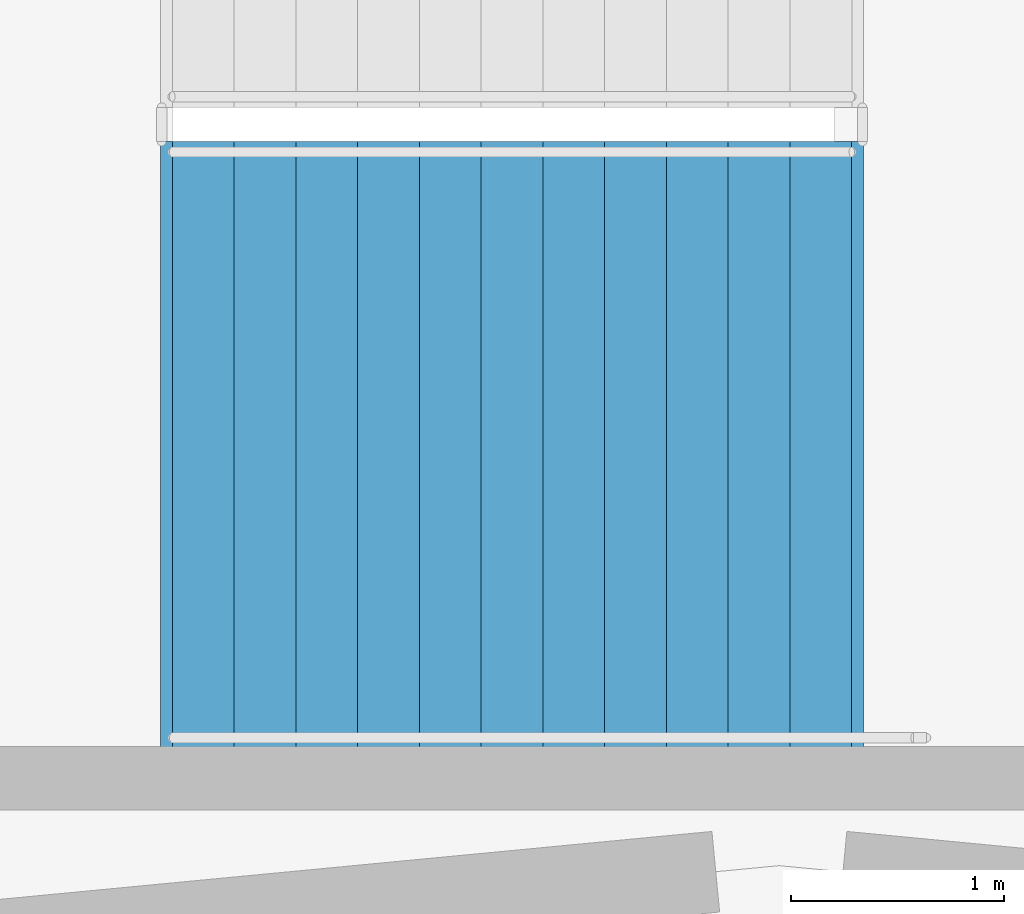
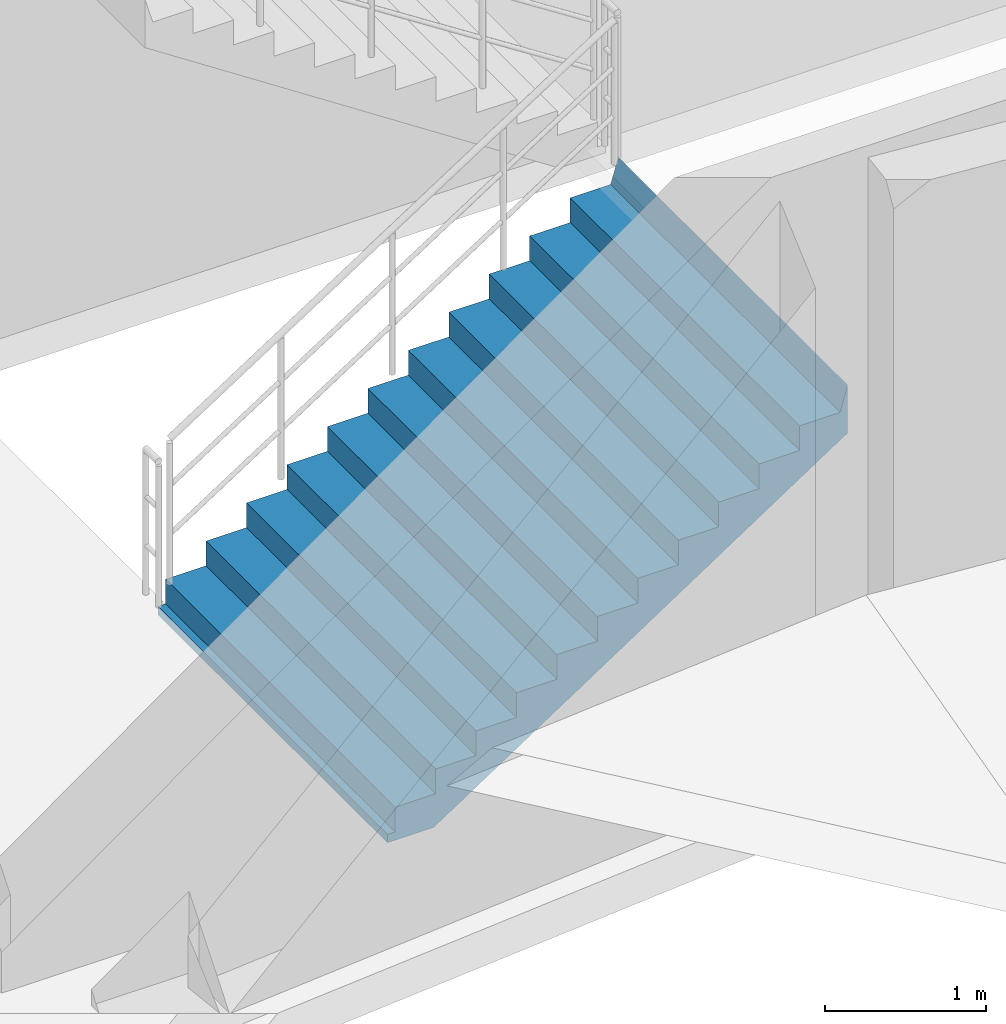
# One storey, part 96 of 112: 1 stair flight, 1 element without a shape of its own.
"""IFC4 building model written with IfcOpenShell, lengths in metres."""

import ifcopenshell
import ifcopenshell.guid

model = None  # the IFC model being written
_history = None  # IfcOwnerHistory: only IFC2X3 demands one
_inside = {}  # id of a spatial element -> (the spatial element, [elements in it])
_under = {}  # id of a project, library or spatial element -> (it, [spatial elements below it])
_declared = {}  # id of a project -> (the project, [libraries it declares])
_typed = {}  # id of a type object -> (the type object, [elements of that type])
_made_of = {}  # id of a material, layer set ... -> (it, [elements and type objects made of it])


def new_model(schema):
    """Start an empty IFC model of exactly this schema.

    Asked for "IFC4X3", IfcOpenShell would pick the latest addendum, in which some entities
    have other attributes; the version numbers below select the first issue.
    IFC2X3 requires an IfcOwnerHistory on every rooted entity: one is made here for all.
    """
    global model, _history
    if schema == "IFC4X3":
        model = ifcopenshell.file(schema_version=(4, 3, 0, 0))
    else:
        model = ifcopenshell.file(schema=schema)
    _inside.clear()
    _under.clear()
    _declared.clear()
    _typed.clear()
    _made_of.clear()
    _history = None
    if model.schema == "IFC2X3":
        org = make("IfcOrganization", Name="unknown")
        user = make(
            "IfcPersonAndOrganization",
            ThePerson=make("IfcPerson", FamilyName="unknown"),
            TheOrganization=org,
        )
        app = make(
            "IfcApplication",
            ApplicationDeveloper=org,
            Version="unknown",
            ApplicationFullName="unknown",
            ApplicationIdentifier="unknown",
        )
        _history = make(
            "IfcOwnerHistory",
            OwningUser=user,
            OwningApplication=app,
            ChangeAction="ADDED",
            CreationDate=0,
        )
    return model


def make(cls, **values):
    """One entity of the class cls with the attributes given. An attribute that is None is left unset."""
    return model.create_entity(
        cls, **{name: value for name, value in values.items() if value is not None}
    )


def rooted(cls, **values):
    """An entity with a GlobalId (a new one), such as an element, a storey or a relation."""
    return make(cls, GlobalId=ifcopenshell.guid.new(), OwnerHistory=_history, **values)


def si_unit(unit_type, name, prefix=None):
    """IfcSIUnit, for example si_unit("LENGTHUNIT", "METRE", prefix="MILLI")."""
    return make("IfcSIUnit", UnitType=unit_type, Prefix=prefix, Name=name)


def assignment(units):
    """IfcUnitAssignment: the units of a project."""
    return None if units is None else make("IfcUnitAssignment", Units=units)


def point(xyz):
    """IfcCartesianPoint."""
    return None if xyz is None else make("IfcCartesianPoint", Coordinates=xyz)


def direction(xyz):
    """IfcDirection."""
    return None if xyz is None else make("IfcDirection", DirectionRatios=xyz)


def frame(location, z_axis=None, x_axis=None):
    """IfcAxis2Placement3D, a coordinate frame: its origin and axes. An axis left out is left unset."""
    return make(
        "IfcAxis2Placement3D",
        Location=point(location),
        Axis=direction(z_axis),
        RefDirection=direction(x_axis),
    )


def origin():
    """The frame at (0, 0, 0) with its axes left unset."""
    return frame((0.0, 0.0, 0.0))


def place(relative_to, where):
    """IfcLocalPlacement: puts the frame where relative to a parent placement (None: the world)."""
    return make(
        "IfcLocalPlacement", PlacementRelTo=relative_to, RelativePlacement=where
    )


def context(
    kind, dimensions, precision=None, world=None, true_north=None, identifier=None
):
    """IfcGeometricRepresentationContext, for example the 3D "Model" context."""
    return make(
        "IfcGeometricRepresentationContext",
        ContextIdentifier=identifier,
        ContextType=kind,
        CoordinateSpaceDimension=dimensions,
        Precision=precision,
        WorldCoordinateSystem=world,
        TrueNorth=true_north,
    )


def subcontext(parent, identifier, kind, view, scale=None):
    """IfcGeometricRepresentationSubContext, for example "Body" below "Model"."""
    return make(
        "IfcGeometricRepresentationSubContext",
        ContextIdentifier=identifier,
        ContextType=kind,
        ParentContext=parent,
        TargetScale=scale,
        TargetView=view,
    )


def project(units=None, contexts=None):
    """IfcProject with its units and contexts."""
    return rooted(
        "IfcProject",
        Name="project",
        RepresentationContexts=contexts,
        UnitsInContext=assignment(units),
    )


def spatial(cls, under=None, at=None, **own):
    """A site, building, storey or space (cls), placed at a placement, below another one or the project."""
    s = rooted(cls, ObjectPlacement=at, **own)
    if under is not None:
        _under.setdefault(under.id(), (under, []))[1].append(s)
    return s


def polyline(points):
    """IfcPolyline through the points."""
    return make("IfcPolyline", Points=[point(p) for p in points])


def outline(outer, holes=None, kind="AREA"):
    """IfcArbitraryClosedProfileDef: a profile drawn as a closed curve; with holes, ...WithVoids."""
    if holes is None:
        return make("IfcArbitraryClosedProfileDef", ProfileType=kind, OuterCurve=outer)
    return make(
        "IfcArbitraryProfileDefWithVoids",
        ProfileType=kind,
        OuterCurve=outer,
        InnerCurves=holes,
    )


def extrude(swept, where, along, depth):
    """IfcExtrudedAreaSolid: the profile swept, set in the frame where, extruded along a direction by depth."""
    return make(
        "IfcExtrudedAreaSolid",
        SweptArea=swept,
        Position=where,
        ExtrudedDirection=direction(along),
        Depth=depth,
    )


def shape(context_of_items, identifier, shape_type, items):
    """IfcShapeRepresentation: the items that make up one representation, for example the "Body"."""
    return make(
        "IfcShapeRepresentation",
        ContextOfItems=context_of_items,
        RepresentationIdentifier=identifier,
        RepresentationType=shape_type,
        Items=items,
    )


def material(Name=None, Category=None):
    """IfcMaterial."""
    return make("IfcMaterial", Name=Name, Category=Category)


def made_of(thing, what):
    """Note that an element or type object is made of a material, layer set ...; save() writes the relation."""
    if what is not None:
        _made_of.setdefault(what.id(), (what, []))[1].append(thing)
    return thing


def type_object(cls, material=None, **own):
    """A type object (cls), such as IfcWallType, which elements share."""
    return made_of(rooted(cls, **own), material)


def element(
    cls,
    number,
    at=None,
    inside=None,
    cuts=None,
    type_object=None,
    material=None,
    context=None,
    identifier="Body",
    shape_type=None,
    held_by="IfcProductDefinitionShape",
    body=None,
    shapes=None,
    **own,
):
    """One element of the class cls, such as IfcWall. Its Tag is "e" and its number.

    at: its placement. inside: the storey or other place that contains it. cuts: it is an
    opening in that element (IfcRelVoidsElement). A single representation is given by context,
    identifier, shape_type and body (its items); several are given by shapes. held_by: the class
    of the entity that holds the representations. save() writes the other relations.
    """
    e = rooted(cls, Tag="e%d" % number, ObjectPlacement=at, **own)
    if body is not None:
        shapes = [shape(context, identifier, shape_type, body)]
    if shapes is not None:
        e.Representation = make(held_by, Representations=shapes)
    if inside is not None:
        _inside.setdefault(inside.id(), (inside, []))[1].append(e)
    if cuts is not None:
        rooted(
            "IfcRelVoidsElement", RelatingBuildingElement=cuts, RelatedOpeningElement=e
        )
    if type_object is not None:
        _typed.setdefault(type_object.id(), (type_object, []))[1].append(e)
    return made_of(e, material)


def aggregate(whole, parts):
    """IfcRelAggregates: a whole, such as a stair, and the parts it consists of."""
    return rooted("IfcRelAggregates", RelatingObject=whole, RelatedObjects=parts)


def save(model, path):
    """Write the relations noted so far, then the file.

    IfcRelAggregates (storeys below a building ...), IfcRelContainedInSpatialStructure (elements
    in a storey), IfcRelDefinesByType, IfcRelAssociatesMaterial and IfcRelDeclares: one each for
    every whole, place, type object, material and project.
    """
    for whole, parts in _under.values():
        aggregate(whole, parts)
    for where, things in _inside.values():
        rooted(
            "IfcRelContainedInSpatialStructure",
            RelatedElements=things,
            RelatingStructure=where,
        )
    for kind, things in _typed.values():
        rooted("IfcRelDefinesByType", RelatedObjects=things, RelatingType=kind)
    for what, things in _made_of.values():
        rooted("IfcRelAssociatesMaterial", RelatedObjects=things, RelatingMaterial=what)
    for by, libraries in _declared.values():
        rooted("IfcRelDeclares", RelatingContext=by, RelatedDefinitions=libraries)
    model.write(path)


model = new_model("IFC4")

# Units and contexts
model_context = context("Model", 3, precision=1e-05, world=origin(), true_north=direction((0.0, 1.0)))
body_context = subcontext(model_context, "Body", "Model", "MODEL_VIEW")
ifc_project = project(units=[si_unit("LENGTHUNIT", "METRE"), si_unit("AREAUNIT", "SQUARE_METRE"), si_unit("VOLUMEUNIT", "CUBIC_METRE"), si_unit("PLANEANGLEUNIT", "RADIAN"), si_unit("MASSUNIT", "GRAM", prefix="KILO")], contexts=[model_context])

# Site, building, storey
site_placement = place(None, origin())
site = spatial("IfcSite", under=ifc_project, at=site_placement, CompositionType="ELEMENT")
building_placement = place(site_placement, origin())
building = spatial("IfcBuilding", under=site, at=building_placement, Name="Cinderbank Siding Concert Hall", CompositionType="ELEMENT")
storey_placement = place(building_placement, frame((0.0, 0.0, 10.199951171875)))
storey = spatial("IfcBuildingStorey", under=building, at=storey_placement, Name="L03", CompositionType="ELEMENT", Elevation=10.199951171875)

# Stair, stair flight
ifc_material = material(Name="Reinforced concrete AS 3600 N50 (50 MPa)", Category="concrete")
stair_type = type_object("IfcStairType", Name="STR-J Dogleg Exit Stair 2850mm", PredefinedType="HALF_TURN_STAIR", material=ifc_material)
stair_placement = place(storey_placement, origin())
stair = element("IfcStair", 1, at=stair_placement, inside=storey, type_object=stair_type, Name="L03 Fire-isolated Exit Stair ST-01", PredefinedType="HALF_TURN_STAIR")
stair_flight_type = type_object("IfcStairFlightType", Name="SFL-J Concrete Stair Flight 2850mm", PredefinedType="STRAIGHT", material=ifc_material)
stair_flight_placement = place(storey_placement, frame((119.14990234375, 60.175048828125, 0.0), z_axis=(0.0, 0.0, 1.0), x_axis=(1.0, 0.0, 0.0)))
stair_flight = element("IfcStairFlight", 2, at=stair_flight_placement, type_object=stair_flight_type, Name="ST-01 flight 1", NumberOfRisers=12, NumberOfTreads=11, PredefinedType="STRAIGHT", RiserHeight=0.1875, TreadLength=0.29, context=body_context, shape_type="SweptSolid", body=[
    extrude(outline(polyline([(0.0, 0.0), (0.0, 0.1875), (0.2900390625, 0.1875), (0.2900390625, 0.375), (0.580078125, 0.375), (0.580078125, 0.5625), (0.8701171875, 0.5625), (0.8701171875, 0.75), (1.159912109375, 0.75), (1.159912109375, 0.9375), (1.449951171875, 0.9375), (1.449951171875, 1.125), (1.739990234375, 1.125), (1.739990234375, 1.3125), (2.030029296875, 1.3125), (2.030029296875, 1.5), (2.320068359375, 1.5), (2.320068359375, 1.6875), (2.610107421875, 1.6875), (2.610107421875, 1.875), (2.89990234375, 1.875), (2.89990234375, 2.0625), (3.18994140625, 2.0625), (3.244873046875, 2.25), (3.244873046875, 1.884033203125), (3.24462890625, 1.88427734375), (3.24462890625, 1.884521484375), (3.24462890625, 1.884765625), (3.24462890625, 1.885009765625), (3.24462890625, 1.88525390625), (3.24462890625, 1.885498046875), (3.24462890625, 1.8857421875), (3.24462890625, 1.885986328125), (3.24462890625, 1.88623046875), (3.24462890625, 1.886474609375), (3.24462890625, 1.88671875), (3.24462890625, 1.886962890625), (3.244384765625, 1.886962890625), (3.244384765625, 1.88671875), (3.244384765625, 1.886474609375), (3.244384765625, 1.88623046875), (3.244384765625, 1.885986328125), (3.244384765625, 1.8857421875), (3.244384765625, 1.885498046875), (3.244384765625, 1.88525390625), (3.244384765625, 1.885009765625), (3.244384765625, 1.884765625), (3.244384765625, 1.884521484375), (3.244384765625, 1.88427734375), (3.244384765625, 1.884033203125), (3.244140625, 1.88427734375), (3.244140625, 1.884521484375), (3.244140625, 1.884765625), (3.244140625, 1.885009765625), (3.244140625, 1.88525390625), (3.244140625, 1.885498046875), (3.244140625, 1.8857421875), (3.244140625, 1.885986328125), (3.244140625, 1.88623046875), (3.244140625, 1.886474609375), (3.244140625, 1.88671875), (3.244140625, 1.886962890625), (3.243896484375, 1.886962890625), (3.243896484375, 1.88671875), (3.243896484375, 1.886474609375), (3.243896484375, 1.88623046875), (3.243896484375, 1.885986328125), (3.243896484375, 1.8857421875), (3.243896484375, 1.885498046875), (3.243896484375, 1.88525390625), (3.243896484375, 1.885009765625), (3.243896484375, 1.884765625), (3.243896484375, 1.884521484375), (3.243896484375, 1.88427734375), (3.243896484375, 1.884033203125), (3.24365234375, 1.88427734375), (3.24365234375, 1.884521484375), (3.24365234375, 1.884765625), (3.24365234375, 1.885009765625), (3.24365234375, 1.88525390625), (3.24365234375, 1.885498046875), (3.24365234375, 1.8857421875), (3.24365234375, 1.885986328125), (3.24365234375, 1.88623046875), (3.24365234375, 1.886474609375), (3.24365234375, 1.88671875), (3.24365234375, 1.886962890625), (3.243408203125, 1.886962890625), (3.243408203125, 1.88671875), (3.243408203125, 1.886474609375), (3.243408203125, 1.88623046875), (3.243408203125, 1.885986328125), (3.243408203125, 1.8857421875), (3.243408203125, 1.885498046875), (3.243408203125, 1.88525390625), (3.243408203125, 1.885009765625), (3.243408203125, 1.884765625), (3.243408203125, 1.884521484375), (3.243408203125, 1.88427734375), (3.243408203125, 1.884033203125), (3.2431640625, 1.88427734375), (3.2431640625, 1.884521484375), (3.2431640625, 1.884765625), (3.2431640625, 1.885009765625), (3.2431640625, 1.88525390625), (3.2431640625, 1.885498046875), (3.2431640625, 1.8857421875), (3.2431640625, 1.885986328125), (3.2431640625, 1.88623046875), (3.2431640625, 1.886474609375), (3.2431640625, 1.88671875), (3.2431640625, 1.886962890625), (3.242919921875, 1.886962890625), (3.242919921875, 1.88671875), (3.242919921875, 1.886474609375), (3.242919921875, 1.88623046875), (3.242919921875, 1.885986328125), (3.242919921875, 1.8857421875), (3.242919921875, 1.885498046875), (3.242919921875, 1.88525390625), (3.242919921875, 1.885009765625), (3.242919921875, 1.884765625), (3.242919921875, 1.884521484375), (3.242919921875, 1.88427734375), (3.242919921875, 1.884033203125), (3.24267578125, 1.88427734375), (3.24267578125, 1.884521484375), (3.24267578125, 1.884765625), (3.24267578125, 1.885009765625), (3.24267578125, 1.88525390625), (3.24267578125, 1.885498046875), (3.24267578125, 1.8857421875), (3.24267578125, 1.885986328125), (3.24267578125, 1.88623046875), (3.24267578125, 1.886474609375), (3.24267578125, 1.88671875), (3.24267578125, 1.886962890625), (3.242431640625, 1.886962890625), (3.242431640625, 1.88671875), (3.242431640625, 1.886474609375), (3.242431640625, 1.88623046875), (3.242431640625, 1.885986328125), (3.242431640625, 1.8857421875), (3.242431640625, 1.885498046875), (3.242431640625, 1.88525390625), (3.242431640625, 1.885009765625), (3.242431640625, 1.884765625), (3.242431640625, 1.884521484375), (3.242431640625, 1.88427734375), (3.242431640625, 1.884033203125), (3.2421875, 1.88427734375), (3.2421875, 1.884521484375), (3.2421875, 1.884765625), (3.2421875, 1.885009765625), (3.2421875, 1.88525390625), (3.2421875, 1.885498046875), (3.2421875, 1.8857421875), (3.2421875, 1.885986328125), (3.2421875, 1.88623046875), (3.2421875, 1.886474609375), (3.2421875, 1.88671875), (3.2421875, 1.886962890625), (3.241943359375, 1.886962890625), (3.241943359375, 1.88671875), (3.241943359375, 1.886474609375), (3.241943359375, 1.88623046875), (3.241943359375, 1.885986328125), (3.241943359375, 1.8857421875), (3.241943359375, 1.885498046875), (3.241943359375, 1.88525390625), (3.241943359375, 1.885009765625), (3.241943359375, 1.884765625), (3.241943359375, 1.884521484375), (3.241943359375, 1.88427734375), (3.241943359375, 1.884033203125), (3.24169921875, 1.88427734375), (3.24169921875, 1.884521484375), (3.24169921875, 1.884765625), (3.24169921875, 1.885009765625), (3.24169921875, 1.88525390625), (3.24169921875, 1.885498046875), (3.24169921875, 1.8857421875), (3.24169921875, 1.885986328125), (3.24169921875, 1.88623046875), (3.24169921875, 1.886474609375), (3.24169921875, 1.88671875), (3.24169921875, 1.886962890625), (3.241455078125, 1.886962890625), (3.241455078125, 1.88671875), (3.241455078125, 1.886474609375), (3.241455078125, 1.88623046875), (3.241455078125, 1.885986328125), (3.241455078125, 1.8857421875), (3.241455078125, 1.885498046875), (3.241455078125, 1.88525390625), (3.241455078125, 1.885009765625), (3.241455078125, 1.884765625), (3.241455078125, 1.884521484375), (3.241455078125, 1.88427734375), (3.241455078125, 1.884033203125), (3.2412109375, 1.88427734375), (3.2412109375, 1.884521484375), (3.2412109375, 1.884765625), (3.2412109375, 1.885009765625), (3.2412109375, 1.88525390625), (3.2412109375, 1.885498046875), (3.2412109375, 1.8857421875), (3.2412109375, 1.885986328125), (3.2412109375, 1.88623046875), (3.2412109375, 1.886474609375), (3.2412109375, 1.88671875), (3.2412109375, 1.886962890625), (3.240966796875, 1.886962890625), (3.240966796875, 1.88671875), (3.240966796875, 1.886474609375), (3.240966796875, 1.88623046875), (3.240966796875, 1.885986328125), (3.240966796875, 1.8857421875), (3.240966796875, 1.885498046875), (3.240966796875, 1.88525390625), (3.240966796875, 1.885009765625), (3.240966796875, 1.884765625), (3.240966796875, 1.884521484375), (3.240966796875, 1.88427734375), (3.240966796875, 1.884033203125), (3.24072265625, 1.88427734375), (3.24072265625, 1.884521484375), (3.24072265625, 1.884765625), (3.24072265625, 1.885009765625), (3.24072265625, 1.88525390625), (3.24072265625, 1.885498046875), (3.24072265625, 1.8857421875), (3.24072265625, 1.885986328125), (3.24072265625, 1.88623046875), (3.24072265625, 1.886474609375), (3.24072265625, 1.88671875), (3.24072265625, 1.886962890625), (3.240478515625, 1.886962890625), (3.240478515625, 1.88671875), (3.240478515625, 1.886474609375), (3.240478515625, 1.88623046875), (3.240478515625, 1.885986328125), (3.240478515625, 1.8857421875), (3.240478515625, 1.885498046875), (3.240478515625, 1.88525390625), (3.240478515625, 1.885009765625), (3.240478515625, 1.884765625), (3.240478515625, 1.884521484375), (3.240478515625, 1.88427734375), (3.240478515625, 1.884033203125), (3.240234375, 1.88427734375), (3.240234375, 1.884521484375), (3.240234375, 1.884765625), (3.240234375, 1.885009765625), (3.240234375, 1.88525390625), (3.240234375, 1.885498046875), (3.240234375, 1.8857421875), (3.240234375, 1.885986328125), (3.240234375, 1.88623046875), (3.240234375, 1.886474609375), (3.240234375, 1.88671875), (3.240234375, 1.886962890625), (3.239990234375, 1.886962890625), (3.239990234375, 1.88671875), (3.239990234375, 1.886474609375), (3.239990234375, 1.88623046875), (3.239990234375, 1.885986328125), (3.239990234375, 1.8857421875), (3.239990234375, 1.885498046875), (3.239990234375, 1.88525390625), (3.239990234375, 1.885009765625), (3.239990234375, 1.884765625), (3.239990234375, 1.884521484375), (3.239990234375, 1.88427734375), (3.239990234375, 1.884033203125), (3.23974609375, 1.88427734375), (3.23974609375, 1.884521484375), (3.23974609375, 1.884765625), (3.23974609375, 1.885009765625), (3.23974609375, 1.88525390625), (3.23974609375, 1.885498046875), (3.23974609375, 1.8857421875), (3.23974609375, 1.885986328125), (3.23974609375, 1.88623046875), (3.23974609375, 1.886474609375), (3.23974609375, 1.88671875), (3.23974609375, 1.886962890625), (3.239501953125, 1.886962890625), (3.239501953125, 1.88671875), (3.239501953125, 1.886474609375), (3.239501953125, 1.88623046875), (3.239501953125, 1.885986328125), (3.239501953125, 1.8857421875), (3.239501953125, 1.885498046875), (3.239501953125, 1.88525390625), (3.239501953125, 1.885009765625), (3.239501953125, 1.884765625), (3.239501953125, 1.884521484375), (3.239501953125, 1.88427734375), (3.239501953125, 1.884033203125), (3.2392578125, 1.88427734375), (3.2392578125, 1.884521484375), (3.2392578125, 1.884765625), (3.2392578125, 1.885009765625), (3.2392578125, 1.88525390625), (3.2392578125, 1.885498046875), (3.2392578125, 1.8857421875), (3.2392578125, 1.885986328125), (3.2392578125, 1.88623046875), (3.2392578125, 1.886474609375), (3.2392578125, 1.88671875), (3.2392578125, 1.886962890625), (3.239013671875, 1.886962890625), (3.239013671875, 1.88671875), (3.239013671875, 1.886474609375), (3.239013671875, 1.88623046875), (3.239013671875, 1.885986328125), (3.239013671875, 1.8857421875), (3.239013671875, 1.885498046875), (3.239013671875, 1.88525390625), (3.239013671875, 1.885009765625), (3.239013671875, 1.884765625), (3.239013671875, 1.884521484375), (3.239013671875, 1.88427734375), (3.239013671875, 1.884033203125), (3.23876953125, 1.88427734375), (3.23876953125, 1.884521484375), (3.23876953125, 1.884765625), (3.23876953125, 1.885009765625), (3.23876953125, 1.88525390625), (3.23876953125, 1.885498046875), (3.23876953125, 1.8857421875), (3.23876953125, 1.885986328125), (3.23876953125, 1.88623046875), (3.23876953125, 1.886474609375), (3.23876953125, 1.88671875), (3.23876953125, 1.886962890625), (3.238525390625, 1.886962890625), (3.238525390625, 1.88671875), (3.238525390625, 1.886474609375), (3.238525390625, 1.88623046875), (3.238525390625, 1.885986328125), (3.238525390625, 1.8857421875), (3.238525390625, 1.885498046875), (3.238525390625, 1.88525390625), (3.238525390625, 1.885009765625), (3.238525390625, 1.884765625), (3.238525390625, 1.884521484375), (3.238525390625, 1.88427734375), (3.238525390625, 1.884033203125), (0.276123046875, -0.06396484375), (-0.048583984375, -0.063720703125), (-0.048583984375, -0.0634765625), (-0.048583984375, -0.063232421875), (-0.048583984375, -0.06298828125), (-0.048583984375, -0.062744140625), (-0.048583984375, -0.0625), (-0.048583984375, -0.062255859375), (-0.048583984375, -0.06201171875), (-0.048583984375, -0.061767578125), (-0.048583984375, -0.0615234375), (-0.048583984375, -0.061279296875), (-0.048583984375, -0.06103515625), (-0.048828125, -0.06103515625), (-0.048828125, -0.061279296875), (-0.048828125, -0.0615234375), (-0.048828125, -0.061767578125), (-0.048828125, -0.06201171875), (-0.048828125, -0.062255859375), (-0.048828125, -0.0625), (-0.048828125, -0.062744140625), (-0.048828125, -0.06298828125), (-0.048828125, -0.063232421875), (-0.048828125, -0.0634765625), (-0.048828125, -0.063720703125), (-0.048828125, -0.06396484375), (-0.049072265625, -0.063720703125), (-0.049072265625, -0.0634765625), (-0.049072265625, -0.063232421875), (-0.049072265625, -0.06298828125), (-0.049072265625, -0.062744140625), (-0.049072265625, -0.0625), (-0.049072265625, -0.062255859375), (-0.049072265625, -0.06201171875), (-0.049072265625, -0.061767578125), (-0.049072265625, -0.0615234375), (-0.049072265625, -0.061279296875), (-0.049072265625, -0.06103515625), (-0.04931640625, -0.06103515625), (-0.04931640625, -0.061279296875), (-0.04931640625, -0.0615234375), (-0.04931640625, -0.061767578125), (-0.04931640625, -0.06201171875), (-0.04931640625, -0.062255859375), (-0.04931640625, -0.0625), (-0.04931640625, -0.062744140625), (-0.04931640625, -0.06298828125), (-0.04931640625, -0.063232421875), (-0.04931640625, -0.0634765625), (-0.04931640625, -0.063720703125), (-0.04931640625, -0.06396484375), (-0.049560546875, -0.063720703125), (-0.049560546875, -0.0634765625), (-0.049560546875, -0.063232421875), (-0.049560546875, -0.06298828125), (-0.049560546875, -0.062744140625), (-0.049560546875, -0.0625), (-0.049560546875, -0.062255859375), (-0.049560546875, -0.06201171875), (-0.049560546875, -0.061767578125), (-0.049560546875, -0.0615234375), (-0.049560546875, -0.061279296875), (-0.049560546875, -0.06103515625), (-0.0498046875, -0.06103515625), (-0.0498046875, -0.061279296875), (-0.0498046875, -0.0615234375), (-0.0498046875, -0.061767578125), (-0.0498046875, -0.06201171875), (-0.0498046875, -0.062255859375), (-0.0498046875, -0.0625), (-0.0498046875, -0.062744140625), (-0.0498046875, -0.06298828125), (-0.0498046875, -0.063232421875), (-0.0498046875, -0.0634765625), (-0.0498046875, -0.063720703125), (-0.0498046875, -0.06396484375), (-0.050048828125, -0.063720703125), (-0.050048828125, -0.0634765625), (-0.050048828125, -0.063232421875), (-0.050048828125, -0.06298828125), (-0.050048828125, -0.062744140625), (-0.050048828125, -0.0625), (-0.050048828125, -0.062255859375), (-0.050048828125, -0.06201171875), (-0.050048828125, -0.061767578125), (-0.050048828125, -0.0615234375), (-0.050048828125, -0.061279296875), (-0.050048828125, -0.06103515625), (-0.05029296875, -0.06103515625), (-0.05029296875, -0.061279296875), (-0.05029296875, -0.0615234375), (-0.05029296875, -0.061767578125), (-0.05029296875, -0.06201171875), (-0.05029296875, -0.062255859375), (-0.05029296875, -0.0625), (-0.05029296875, -0.062744140625), (-0.05029296875, -0.06298828125), (-0.05029296875, -0.063232421875), (-0.05029296875, -0.0634765625), (-0.05029296875, -0.063720703125), (-0.05029296875, -0.06396484375), (-0.050537109375, -0.063720703125), (-0.050537109375, -0.0634765625), (-0.050537109375, -0.063232421875), (-0.050537109375, -0.06298828125), (-0.050537109375, -0.062744140625), (-0.050537109375, -0.0625), (-0.050537109375, -0.062255859375), (-0.050537109375, -0.06201171875), (-0.050537109375, -0.061767578125), (-0.050537109375, -0.0615234375), (-0.050537109375, -0.061279296875), (-0.050537109375, -0.06103515625), (-0.05078125, -0.06103515625), (-0.05078125, -0.061279296875), (-0.05078125, -0.0615234375), (-0.05078125, -0.061767578125), (-0.05078125, -0.06201171875), (-0.05078125, -0.062255859375), (-0.05078125, -0.0625), (-0.05078125, -0.062744140625), (-0.05078125, -0.06298828125), (-0.05078125, -0.063232421875), (-0.05078125, -0.0634765625), (-0.05078125, -0.063720703125), (-0.05078125, -0.06396484375), (-0.051025390625, -0.063720703125), (-0.051025390625, -0.0634765625), (-0.051025390625, -0.063232421875), (-0.051025390625, -0.06298828125), (-0.051025390625, -0.062744140625), (-0.051025390625, -0.0625), (-0.051025390625, -0.062255859375), (-0.051025390625, -0.06201171875), (-0.051025390625, -0.061767578125), (-0.051025390625, -0.0615234375), (-0.051025390625, -0.061279296875), (-0.051025390625, -0.06103515625), (-0.05126953125, -0.06103515625), (-0.05126953125, -0.061279296875), (-0.05126953125, -0.0615234375), (-0.05126953125, -0.061767578125), (-0.05126953125, -0.06201171875), (-0.05126953125, -0.062255859375), (-0.05126953125, -0.0625), (-0.05126953125, -0.062744140625), (-0.05126953125, -0.06298828125), (-0.05126953125, -0.063232421875), (-0.05126953125, -0.0634765625), (-0.05126953125, -0.063720703125), (-0.05126953125, -0.06396484375), (-0.051513671875, -0.063720703125), (-0.051513671875, -0.0634765625), (-0.051513671875, -0.063232421875), (-0.051513671875, -0.06298828125), (-0.051513671875, -0.062744140625), (-0.051513671875, -0.0625), (-0.051513671875, -0.062255859375), (-0.051513671875, -0.06201171875), (-0.051513671875, -0.061767578125), (-0.051513671875, -0.0615234375), (-0.051513671875, -0.061279296875), (-0.051513671875, -0.06103515625), (-0.0517578125, -0.06103515625), (-0.0517578125, -0.061279296875), (-0.0517578125, -0.0615234375), (-0.0517578125, -0.061767578125), (-0.0517578125, -0.06201171875), (-0.0517578125, -0.062255859375), (-0.0517578125, -0.0625), (-0.0517578125, -0.062744140625), (-0.0517578125, -0.06298828125), (-0.0517578125, -0.063232421875), (-0.0517578125, -0.0634765625), (-0.0517578125, -0.063720703125), (-0.0517578125, -0.06396484375), (-0.052001953125, -0.063720703125), (-0.052001953125, -0.0634765625), (-0.052001953125, -0.063232421875), (-0.052001953125, -0.06298828125), (-0.052001953125, -0.062744140625), (-0.052001953125, -0.0625), (-0.052001953125, -0.062255859375), (-0.052001953125, -0.06201171875), (-0.052001953125, -0.061767578125), (-0.052001953125, -0.0615234375), (-0.052001953125, -0.061279296875), (-0.052001953125, -0.06103515625), (-0.05224609375, -0.06103515625), (-0.05224609375, -0.061279296875), (-0.05224609375, -0.0615234375), (-0.05224609375, -0.061767578125), (-0.05224609375, -0.06201171875), (-0.05224609375, -0.062255859375), (-0.05224609375, -0.0625), (-0.05224609375, -0.062744140625), (-0.05224609375, -0.06298828125), (-0.05224609375, -0.063232421875), (-0.05224609375, -0.0634765625), (-0.05224609375, -0.063720703125), (-0.05224609375, -0.06396484375), (-0.052490234375, -0.063720703125), (-0.052490234375, -0.0634765625), (-0.052490234375, -0.063232421875), (-0.052490234375, -0.06298828125), (-0.052490234375, -0.062744140625), (-0.052490234375, -0.0625), (-0.052490234375, -0.062255859375), (-0.052490234375, -0.06201171875), (-0.052490234375, -0.061767578125), (-0.052490234375, -0.0615234375), (-0.052490234375, -0.061279296875), (-0.052490234375, -0.06103515625), (-0.052734375, -0.06103515625), (-0.052734375, -0.061279296875), (-0.052734375, -0.0615234375), (-0.052734375, -0.061767578125), (-0.052734375, -0.06201171875), (-0.052734375, -0.062255859375), (-0.052734375, -0.0625), (-0.052734375, -0.062744140625), (-0.052734375, -0.06298828125), (-0.052734375, -0.063232421875), (-0.052734375, -0.0634765625), (-0.052734375, -0.063720703125), (-0.052734375, -0.06396484375), (-0.052978515625, -0.063720703125), (-0.052978515625, -0.0634765625), (-0.052978515625, -0.063232421875), (-0.052978515625, -0.06298828125), (-0.052978515625, -0.062744140625), (-0.052978515625, -0.0625), (-0.052978515625, -0.062255859375), (-0.052978515625, -0.06201171875), (-0.052978515625, -0.061767578125), (-0.052978515625, -0.0615234375), (-0.052978515625, -0.061279296875), (-0.052978515625, -0.06103515625), (-0.05322265625, -0.06103515625), (-0.05322265625, -0.061279296875), (-0.05322265625, -0.0615234375), (-0.05322265625, -0.061767578125), (-0.05322265625, -0.06201171875), (-0.05322265625, -0.062255859375), (-0.05322265625, -0.0625), (-0.05322265625, -0.062744140625), (-0.05322265625, -0.06298828125), (-0.05322265625, -0.063232421875), (-0.05322265625, -0.0634765625), (-0.05322265625, -0.063720703125), (-0.05322265625, -0.06396484375), (-0.053466796875, -0.063720703125), (-0.053466796875, -0.0634765625), (-0.053466796875, -0.063232421875), (-0.053466796875, -0.06298828125), (-0.053466796875, -0.062744140625), (-0.053466796875, -0.0625), (-0.053466796875, -0.062255859375), (-0.053466796875, -0.06201171875), (-0.053466796875, -0.061767578125), (-0.053466796875, -0.0615234375), (-0.053466796875, -0.061279296875), (-0.053466796875, -0.06103515625), (-0.0537109375, -0.06103515625), (-0.0537109375, -0.061279296875), (-0.0537109375, -0.0615234375), (-0.0537109375, -0.061767578125), (-0.0537109375, -0.06201171875), (-0.0537109375, -0.062255859375), (-0.0537109375, -0.0625), (-0.0537109375, -0.062744140625), (-0.0537109375, -0.06298828125), (-0.0537109375, -0.063232421875), (-0.0537109375, -0.0634765625), (-0.0537109375, -0.063720703125), (-0.0537109375, -0.06396484375), (-0.053955078125, -0.063720703125), (-0.053955078125, -0.0634765625), (-0.053955078125, -0.063232421875), (-0.053955078125, -0.06298828125), (-0.053955078125, -0.062744140625), (-0.053955078125, -0.0625), (-0.053955078125, -0.062255859375), (-0.053955078125, -0.06201171875), (-0.053955078125, -0.061767578125), (-0.053955078125, -0.0615234375), (-0.053955078125, -0.061279296875), (-0.053955078125, -0.06103515625), (-0.05419921875, -0.06103515625), (-0.05419921875, -0.061279296875), (-0.05419921875, -0.0615234375), (-0.05419921875, -0.061767578125), (-0.05419921875, -0.06201171875), (-0.05419921875, -0.062255859375), (-0.05419921875, -0.0625), (-0.05419921875, -0.062744140625), (-0.05419921875, -0.06298828125), (-0.05419921875, -0.063232421875), (-0.05419921875, -0.0634765625), (-0.05419921875, -0.063720703125), (-0.05419921875, -0.06396484375), (-0.054443359375, -0.063720703125), (-0.054443359375, -0.0634765625), (-0.054443359375, -0.063232421875), (-0.054443359375, -0.06298828125), (-0.054443359375, -0.062744140625), (-0.054443359375, -0.0625), (-0.054443359375, -0.062255859375), (-0.054443359375, -0.06201171875), (-0.054443359375, -0.061767578125), (-0.054443359375, -0.0615234375), (-0.054443359375, -0.061279296875), (-0.054443359375, -0.06103515625), (-0.0546875, -0.06103515625), (-0.0546875, -0.061279296875), (-0.0546875, -0.0615234375), (-0.0546875, -0.061767578125), (-0.0546875, -0.06201171875), (-0.0546875, -0.062255859375), (-0.0546875, -0.0625), (-0.0546875, -0.062744140625), (-0.0546875, -0.06298828125), (-0.0546875, -0.063232421875), (-0.0546875, -0.0634765625), (-0.0546875, -0.063720703125), (-0.0546875, -0.06396484375), (-0.054931640625, -0.06396484375), (-0.054931640625, 0.0), (0.0, 0.0)])), frame((0.0, 1.425048828125, 0.0), z_axis=(0.0, -1.0, 0.0), x_axis=(1.0, 0.0, 0.0)), (0.0, 0.0, 1.0), 2.85009765625),
])
aggregate(stair, [stair_flight])

save(model, "model.ifc")
